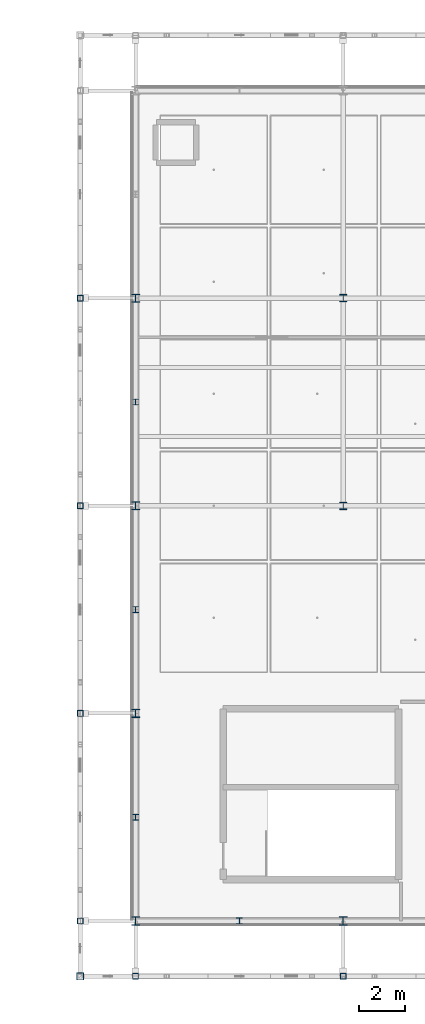
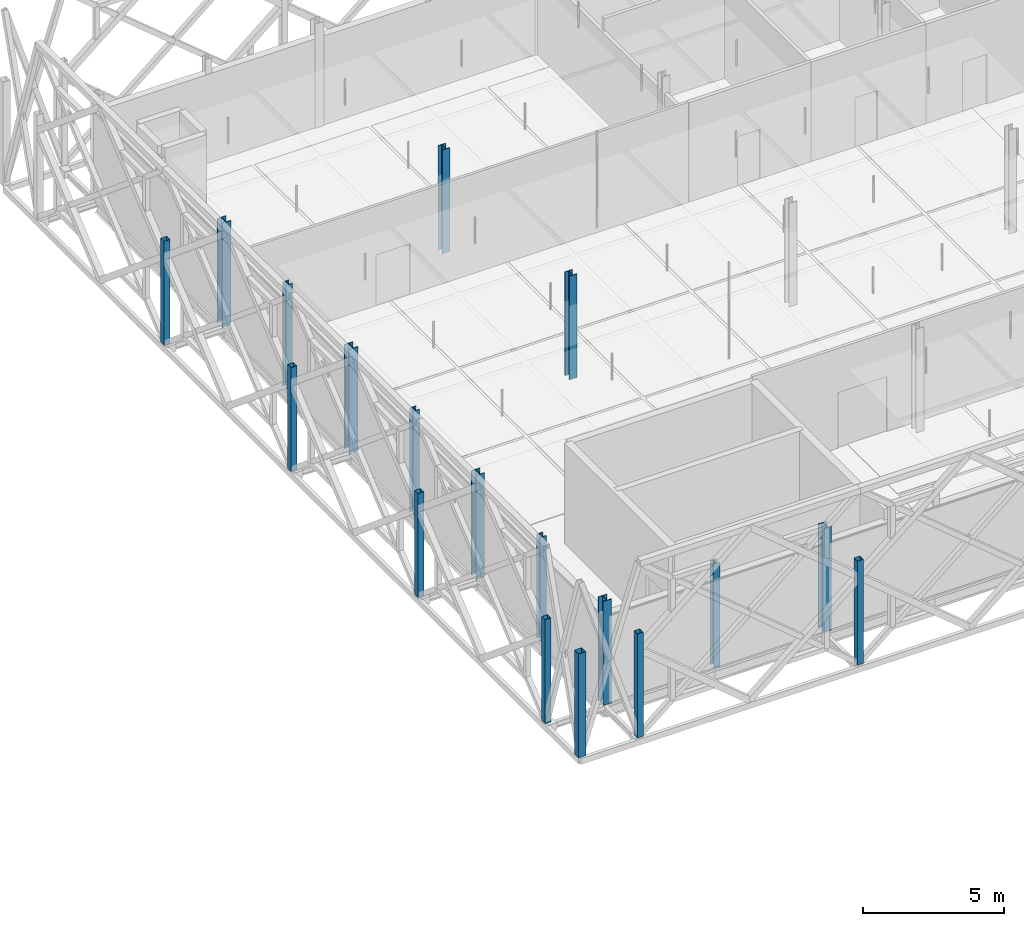
# One storey, part 3 of 66: 18 columns.
"""IFC4 building model written with IfcOpenShell, lengths in metres."""

from ifc_helpers import new_model, si_unit, direction, frame, origin, origin_2d, place, context, subcontext, project, spatial, hollow_rectangle, i_section, extrude, material, material_profile, profile_set, type_object, element, save


model = new_model("IFC4")

# Units and contexts
model_context = context("Model", 3, precision=1e-05, world=origin(), true_north=direction((0.0, 1.0)))
body_context = subcontext(model_context, "Body", "Model", "MODEL_VIEW")
ifc_project = project(units=[si_unit("LENGTHUNIT", "METRE"), si_unit("AREAUNIT", "SQUARE_METRE"), si_unit("VOLUMEUNIT", "CUBIC_METRE"), si_unit("PLANEANGLEUNIT", "RADIAN"), si_unit("MASSUNIT", "GRAM", prefix="KILO"), si_unit("THERMODYNAMICTEMPERATUREUNIT", "KELVIN"), si_unit("POWERUNIT", "WATT")], contexts=[model_context])

# Site, building, storey
site_placement = place(None, origin())
site = spatial("IfcSite", under=ifc_project, at=site_placement, CompositionType="ELEMENT")
building_placement = place(site_placement, origin())
building = spatial("IfcBuilding", under=site, at=building_placement, Name="Tallowbark Science Centre", CompositionType="ELEMENT")
storey_placement = place(building_placement, frame((0.0, 0.0, 18.89990234375)))
storey = spatial("IfcBuildingStorey", under=building, at=storey_placement, Name="L04", CompositionType="ELEMENT", Elevation=18.89990234375)

# Columns
ifc_material_1 = material(Name="White Architectural Painted Steel Grade C350L0 (350 MPa)", Category="steel")
ifc_material_profile_1 = material_profile(ifc_material_1, hollow_rectangle(XDim=0.25, YDim=0.25, WallThickness=0.009033203125, at=origin_2d()), Name="250x250x9.0SHS")
ifc_profile_set_1 = profile_set([ifc_material_profile_1], Name="White Architectural Painted Steel Grade C350L0 (350 MPa)")
column_type_1 = type_object("IfcColumnType", Name="COL-SCR200", PredefinedType="COLUMN", material=ifc_profile_set_1)
for number, where, z_axis, x_axis, name in (
    (1, (58.5, 2.10009765625, 0.0), (0.0, 0.0, 1.0), (1.0, 0.0, 0.0), "Column SCR-S01 L04"),
    (2, (67.5, 2.10009765625, 0.0), (0.0, 0.0, 1.0), (1.0, 0.0, 0.0), "Column SCR-S02 L04"),
    (3, (56.10009765625, 4.5, 0.0), (0.0, 0.0, 1.0), (1.0, 0.0, 0.0), "Column SCR-W01 L04"),
    (4, (56.10009765625, 13.5, 0.0), (0.0, 0.0, 1.0), (1.0, 0.0, 0.0), "Column SCR-W02 L04"),
    (5, (56.10009765625, 22.5, 0.0), (0.0, 0.0, 1.0), (1.0, 0.0, 0.0), "Column SCR-W03 L04"),
    (6, (56.10009765625, 31.5, 0.0), (0.0, 0.0, 1.0), (1.0, 0.0, 0.0), "Column SCR-W04 L04"),
):
    element("IfcColumn", number, at=place(storey_placement, frame(where, z_axis=z_axis, x_axis=x_axis)), inside=storey, type_object=column_type_1, Name=name, PredefinedType="COLUMN", context=body_context, shape_type="SweptSolid", body=[
        extrude(hollow_rectangle(XDim=0.25, YDim=0.25, WallThickness=0.009033203125, at=origin_2d()), origin(), (0.0, 0.0, 1.0), 4.5),
    ])
ifc_material_profile_2 = material_profile(ifc_material_1, hollow_rectangle(XDim=0.300048828125, YDim=0.300048828125, WallThickness=0.010009765625, at=origin_2d()), Name="300x300x10.0SHS")
ifc_profile_set_2 = profile_set([ifc_material_profile_2], Name="White Architectural Painted Steel Grade C350L0 (350 MPa)")
column_type_2 = type_object("IfcColumnType", Name="COL-SCR300", PredefinedType="COLUMN", material=ifc_profile_set_2)
column_placement = place(storey_placement, frame((56.10009765625, 2.10009765625, 0.0), z_axis=(0.0, 0.0, 1.0), x_axis=(1.0, 0.0, 0.0)))
element("IfcColumn", 7, at=column_placement, inside=storey, type_object=column_type_2, Name="Column SCR-S00 L04", PredefinedType="COLUMN", context=body_context, shape_type="SweptSolid", body=[
    extrude(hollow_rectangle(XDim=0.300048828125, YDim=0.300048828125, WallThickness=0.010009765625, at=origin_2d()), origin(), (0.0, 0.0, 1.0), 4.5),
])
ifc_material_2 = material(Name="Structural Steel Grade 300PLUS (300 MPa)", Category="steel")
ifc_material_profile_3 = material_profile(ifc_material_2, i_section(OverallWidth=0.311279296875, OverallDepth=0.3271484375, WebThickness=0.015625, FlangeThickness=0.02490234375, FilletRadius=0.0166015625, at=origin_2d()), Name="310UC158")
ifc_profile_set_3 = profile_set([ifc_material_profile_3], Name="Structural Steel Grade 300PLUS (300 MPa)")
column_type_3 = type_object("IfcColumnType", Name="COL-UC310A", PredefinedType="COLUMN", material=ifc_profile_set_3)
for number, where, z_axis, x_axis, name in (
    (8, (67.5, 22.5, 0.0), (0.0, 0.0, 1.0), (1.0, 0.0, 0.0), "Column CUB-M1_2 L04"),
    (9, (67.5, 31.5, 0.0), (0.0, 0.0, 1.0), (1.0, 0.0, 0.0), "Column CUB-M1_3 L04"),
):
    element("IfcColumn", number, at=place(storey_placement, frame(where, z_axis=z_axis, x_axis=x_axis)), inside=storey, type_object=column_type_3, Name=name, PredefinedType="COLUMN", context=body_context, shape_type="SweptSolid", body=[
        extrude(i_section(OverallWidth=0.311279296875, OverallDepth=0.3271484375, WebThickness=0.015625, FlangeThickness=0.02490234375, FilletRadius=0.0166015625, at=origin_2d()), origin(), (0.0, 0.0, 1.0), 4.5),
    ])
ifc_material_profile_4 = material_profile(ifc_material_2, i_section(OverallWidth=0.35009765625, OverallDepth=0.35888671875, WebThickness=0.01611328125, FlangeThickness=0.02392578125, FilletRadius=0.013916015625, at=origin_2d()), Name="350WC197")
ifc_profile_set_4 = profile_set([ifc_material_profile_4], Name="Structural Steel Grade 300PLUS (300 MPa)")
column_type_4 = type_object("IfcColumnType", Name="COL-WC350", PredefinedType="COLUMN", material=ifc_profile_set_4)
for number, where, z_axis, x_axis, name in (
    (10, (58.5, 4.5, 0.0), (0.0, 0.0, 1.0), (1.0, 0.0, 0.0), "Column CUB-M0_0 L04"),
    (11, (58.5, 13.5, 0.0), (0.0, 0.0, 1.0), (1.0, 0.0, 0.0), "Column CUB-M0_1 L04"),
    (12, (58.5, 22.5, 0.0), (0.0, 0.0, 1.0), (1.0, 0.0, 0.0), "Column CUB-M0_2 L04"),
    (13, (58.5, 31.5, 0.0), (0.0, 0.0, 1.0), (1.0, 0.0, 0.0), "Column CUB-M0_3 L04"),
    (14, (67.5, 4.5, 0.0), (0.0, 0.0, 1.0), (1.0, 0.0, 0.0), "Column CUB-M1_0 L04"),
):
    element("IfcColumn", number, at=place(storey_placement, frame(where, z_axis=z_axis, x_axis=x_axis)), inside=storey, type_object=column_type_4, Name=name, PredefinedType="COLUMN", context=body_context, shape_type="SweptSolid", body=[
        extrude(i_section(OverallWidth=0.35009765625, OverallDepth=0.35888671875, WebThickness=0.01611328125, FlangeThickness=0.02392578125, FilletRadius=0.013916015625, at=origin_2d()), origin(), (0.0, 0.0, 1.0), 4.5),
    ])
ifc_material_profile_5 = material_profile(ifc_material_2, i_section(OverallWidth=0.256103515625, OverallDepth=0.260009765625, WebThickness=0.010498046875, FlangeThickness=0.017333984375, FilletRadius=0.013916015625, at=origin_2d()), Name="250UC89.5")
ifc_profile_set_5 = profile_set([ifc_material_profile_5], Name="Structural Steel Grade 300PLUS (300 MPa)")
column_type_5 = type_object("IfcColumnType", Name="PIL-UC250", PredefinedType="PILASTER", material=ifc_profile_set_5)
for number, where, z_axis, x_axis, name in (
    (15, (63.0, 4.5, 0.0), (0.0, 0.0, 1.0), (1.0, 0.0, 0.0), "Column CUB-PS-0 L04"),
    (16, (58.5, 9.0, 0.0), (0.0, 0.0, 1.0), (1.0, 0.0, 0.0), "Column CUB-PW-0 L04"),
    (17, (58.5, 18.0, 0.0), (0.0, 0.0, 1.0), (1.0, 0.0, 0.0), "Column CUB-PW-1 L04"),
    (18, (58.5, 27.0, 0.0), (0.0, 0.0, 1.0), (1.0, 0.0, 0.0), "Column CUB-PW-2 L04"),
):
    element("IfcColumn", number, at=place(storey_placement, frame(where, z_axis=z_axis, x_axis=x_axis)), inside=storey, type_object=column_type_5, Name=name, PredefinedType="PILASTER", context=body_context, shape_type="SweptSolid", body=[
        extrude(i_section(OverallWidth=0.256103515625, OverallDepth=0.260009765625, WebThickness=0.010498046875, FlangeThickness=0.017333984375, FilletRadius=0.013916015625, at=origin_2d()), origin(), (0.0, 0.0, 1.0), 4.5),
    ])

save(model, "model.ifc")
